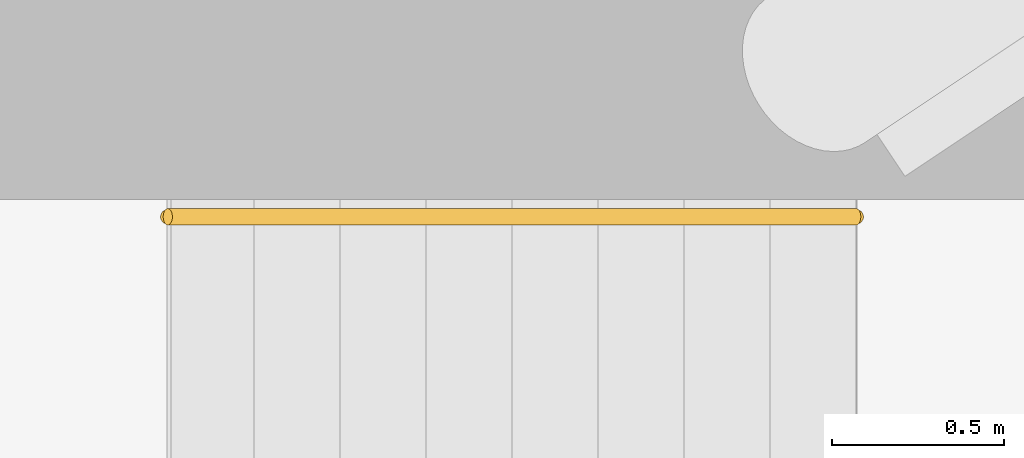
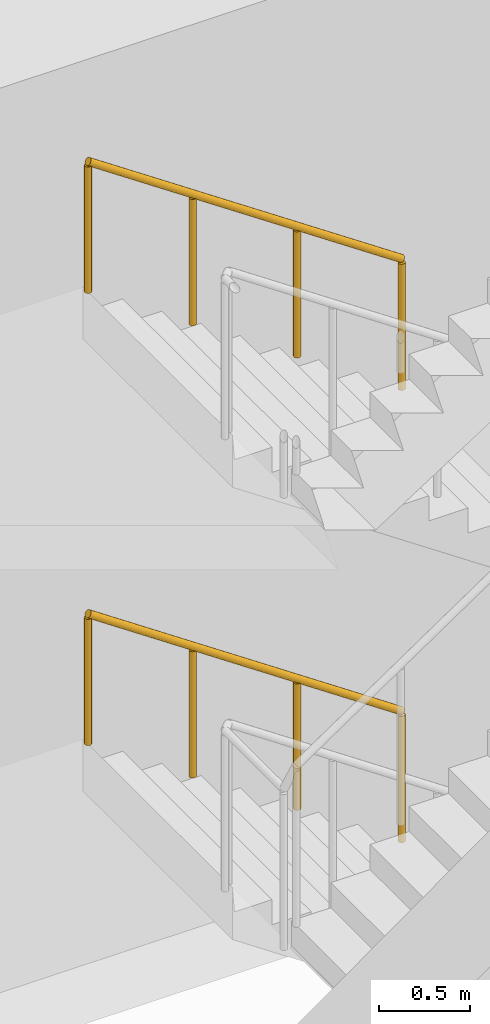
# One storey, part 22 of 22: 2 railings.
"""IFC4 building model written with IfcOpenShell, lengths in metres."""

from ifc_helpers import new_model, si_unit, direction, frame, origin, origin_2d, place, context, subcontext, project, spatial, circle, extrude, material, type_object, element, save


model = new_model("IFC4")

# Units and contexts
model_context = context("Model", 3, precision=1e-05, world=origin(), true_north=direction((0.0, 1.0)))
body_context = subcontext(model_context, "Body", "Model", "MODEL_VIEW")
ifc_project = project(units=[si_unit("LENGTHUNIT", "METRE"), si_unit("AREAUNIT", "SQUARE_METRE"), si_unit("VOLUMEUNIT", "CUBIC_METRE"), si_unit("PLANEANGLEUNIT", "RADIAN"), si_unit("MASSUNIT", "GRAM", prefix="KILO")], contexts=[model_context])

# Site, building, storey
site_placement = place(None, origin())
site = spatial("IfcSite", under=ifc_project, at=site_placement, CompositionType="ELEMENT")
building_placement = place(site_placement, origin())
building = spatial("IfcBuilding", under=site, at=building_placement, Name="Maasbend Ring Residences", CompositionType="ELEMENT")
storey_placement = place(building_placement, frame((0.0, 0.0, 57.5)))
storey = spatial("IfcBuildingStorey", under=building, at=storey_placement, Name="L16", CompositionType="ELEMENT", Elevation=57.5)

# Railings
ifc_material = material(Name="Stainless steel 316", Category="steel")
railing_type = type_object("IfcRailingType", Name="STAIR HANDRAIL 900", PredefinedType="HANDRAIL", material=ifc_material)
for number, where, name in (
    (1, (13.550048828125, 8.550048828125, 0.16943359375), "L16 ST-E1 stair handrail 1"),
    (2, (13.550048828125, 8.550048828125, 3.219482421875), "L16 ST-E1 stair handrail 3"),
):
    element("IfcRailing", number, at=place(storey_placement, frame(where)), inside=storey, type_object=railing_type, Name=name, PredefinedType="HANDRAIL", context=body_context, shape_type="SweptSolid", body=[
        extrude(circle(Radius=0.02392578125, at=origin_2d()), frame((0.0, 0.0, 0.8759765625), z_axis=(-0.827797584762, 0.0, 0.561026878735), x_axis=(0.0, -1.0, 0.0)), (0.0, 0.0, 1.0), 2.416015625),
        extrude(circle(Radius=0.02099609375, at=origin_2d()), origin(), (0.0, 0.0, 1.0), 0.851806640625),
        extrude(circle(Radius=0.02099609375, at=origin_2d()), frame((-0.666748046875, 0.0, 0.451904296875)), (0.0, 0.0, 1.0), 0.851806640625),
        extrude(circle(Radius=0.02099609375, at=origin_2d()), frame((-1.333251953125, 0.0, 0.903564453125)), (0.0, 0.0, 1.0), 0.851806640625),
        extrude(circle(Radius=0.02099609375, at=origin_2d()), frame((-2.0, 0.0, 1.35546875)), (0.0, 0.0, 1.0), 0.851806640625),
    ])

save(model, "model.ifc")
